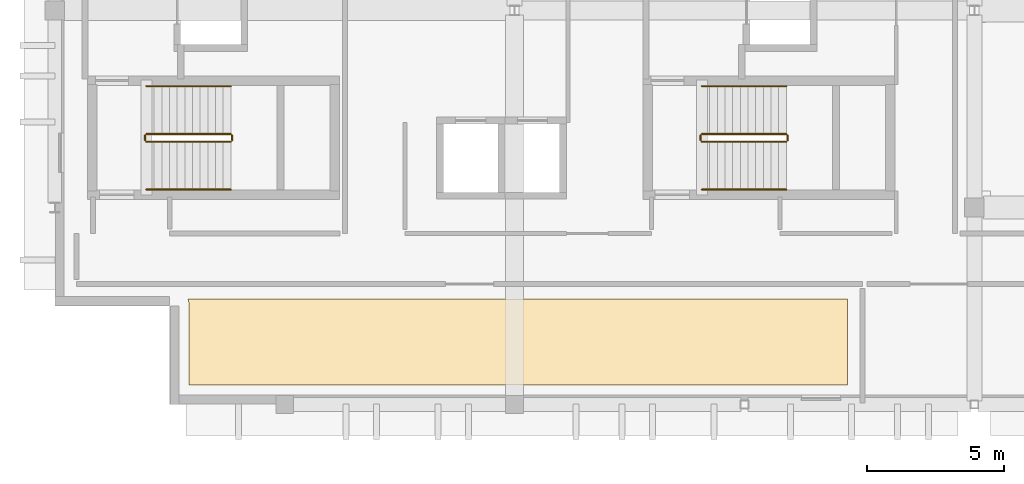
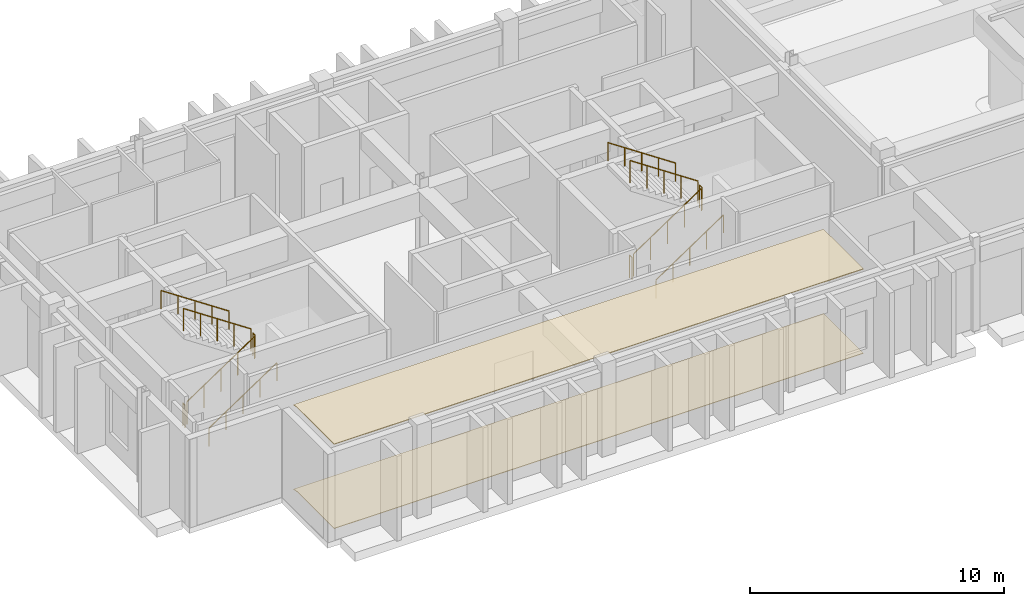
# One storey, part 7 of 8: 12 railings, 2 coverings.
"""IFC4 building model written with IfcOpenShell, lengths in metres."""

from ifc_helpers import new_model, si_unit, direction, frame, origin, origin_2d, place, context, subcontext, project, spatial, polyline, circle, outline, extrude, material, layer, layer_set, type_object, element, save


model = new_model("IFC4")

# Units and contexts
model_context = context("Model", 3, precision=1e-05, world=origin(), true_north=direction((0.0, 1.0)))
body_context = subcontext(model_context, "Body", "Model", "MODEL_VIEW")
ifc_project = project(units=[si_unit("LENGTHUNIT", "METRE"), si_unit("AREAUNIT", "SQUARE_METRE"), si_unit("VOLUMEUNIT", "CUBIC_METRE"), si_unit("PLANEANGLEUNIT", "RADIAN"), si_unit("MASSUNIT", "GRAM", prefix="KILO")], contexts=[model_context])

# Site, building, storey
site_placement = place(None, origin())
site = spatial("IfcSite", under=ifc_project, at=site_placement, CompositionType="ELEMENT")
building_placement = place(site_placement, origin())
building = spatial("IfcBuilding", under=site, at=building_placement, Name="Quendrovan Civic Courthouse", CompositionType="ELEMENT")
storey_placement = place(building_placement, frame((0.0, 0.0, 35.699951171875)))
storey = spatial("IfcBuildingStorey", under=building, at=storey_placement, Name="L08", CompositionType="ELEMENT", Elevation=35.699951171875)

# Coverings
ifc_material_1 = material(Name="Perforated Western Red Cedar and mineral acoustic ceiling")
ifc_layer_1 = layer(ifc_material_1, 0.034912109375, Name="Perforated Western Red Cedar and mineral acoustic ceiling")
ifc_layer_set_1 = layer_set([ifc_layer_1], Name="Perforated Western Red Cedar and mineral acoustic ceiling")
covering_type_1 = type_object("IfcCoveringType", Name="COV-CEIL-ACOUSTIC", PredefinedType="CEILING", material=ifc_layer_set_1)
covering_1_placement = place(storey_placement, frame((0.0, 0.0, 4.045166015625)))
element("IfcCovering", 1, at=covering_1_placement, inside=storey, type_object=covering_type_1, Name="L08 Special Proceedings Courtroom Acoustic Ceiling", PredefinedType="CEILING", context=body_context, shape_type="SweptSolid", body=[
    extrude(outline(polyline([(38.503173828125, 91.29638671875), (38.5009765625, 91.31201171875), (38.490478515625, 91.364501953125), (38.48681640625, 91.3798828125), (38.470947265625, 91.431884765625), (38.465576171875, 91.446533203125), (38.464111328125, 91.449951171875), (62.56005859375, 91.449951171875), (62.56005859375, 88.31005859375), (38.510009765625, 88.31005859375), (38.510009765625, 91.199951171875), (38.50927734375, 91.22802734375), (38.508544921875, 91.24365234375), (38.503173828125, 91.29638671875)])), origin(), (0.0, 0.0, 1.0), 0.034912109375),
])
ifc_material_2 = material(Name="Solid oak courtroom parquet flooring")
ifc_layer_2 = layer(ifc_material_2, 0.02490234375, Name="Solid oak courtroom parquet flooring")
ifc_layer_set_2 = layer_set([ifc_layer_2], Name="Solid oak courtroom parquet flooring")
covering_type_2 = type_object("IfcCoveringType", Name="COV-FLOR-TIMBER", PredefinedType="FLOORING", material=ifc_layer_set_2)
covering_2_placement = place(storey_placement, origin())
element("IfcCovering", 2, at=covering_2_placement, inside=storey, type_object=covering_type_2, Name="L08 Special Proceedings Courtroom Finish Flooring", PredefinedType="FLOORING", context=body_context, shape_type="SweptSolid", body=[
    extrude(outline(polyline([(38.503173828125, 91.29638671875), (38.5009765625, 91.31201171875), (38.490478515625, 91.364501953125), (38.48681640625, 91.3798828125), (38.470947265625, 91.431884765625), (38.465576171875, 91.446533203125), (38.464111328125, 91.449951171875), (62.56005859375, 91.449951171875), (62.56005859375, 88.31005859375), (38.510009765625, 88.31005859375), (38.510009765625, 91.199951171875), (38.50927734375, 91.22802734375), (38.508544921875, 91.24365234375), (38.503173828125, 91.29638671875)])), origin(), (0.0, 0.0, 1.0), 0.025146484375),
])

# Railings
ifc_material_3 = material(Name="Painted galvanized steel", Category="steel")
railing_type_1 = type_object("IfcRailingType", Name="RL-STR-GUARD1100", PredefinedType="GUARDRAIL", material=ifc_material_3)
railing_1_placement = place(storey_placement, frame((36.949951171875, 97.199951171875, 0.1875)))
element("IfcRailing", 3, at=railing_1_placement, inside=storey, type_object=railing_type_1, Name="L08 ST1 stair guard 1", PredefinedType="GUARDRAIL", context=body_context, shape_type="SweptSolid", body=[
    extrude(circle(Radius=0.02392578125, at=origin_2d()), frame((0.0, 0.0, 1.076171875), z_axis=(0.830913701846, 0.0, 0.55640131208), x_axis=(0.0, 1.0, 0.0)), (0.0, 0.0, 1.0), 3.706787109375),
    extrude(circle(Radius=0.02099609375, at=origin_2d()), origin(), (0.0, 0.0, 1.0), 1.052001953125),
    extrude(circle(Radius=0.02099609375, at=origin_2d()), frame((0.77001953125, 0.0, 0.515625)), (0.0, 0.0, 1.0), 1.052001953125),
    extrude(circle(Radius=0.02099609375, at=origin_2d()), frame((1.5400390625, 0.0, 1.03125)), (0.0, 0.0, 1.0), 1.052001953125),
    extrude(circle(Radius=0.02099609375, at=origin_2d()), frame((2.31005859375, 0.0, 1.546875)), (0.0, 0.0, 1.0), 1.052001953125),
    extrude(circle(Radius=0.02099609375, at=origin_2d()), frame((3.080078125, 0.0, 2.0625)), (0.0, 0.0, 1.0), 1.052001953125),
])
railing_2_placement = place(storey_placement, frame((40.080078125, 97.25, 2.25)))
element("IfcRailing", 4, at=railing_2_placement, inside=storey, type_object=railing_type_1, Name="L08 ST1 stair guard 2", PredefinedType="GUARDRAIL", context=body_context, shape_type="SweptSolid", body=[
    extrude(circle(Radius=0.02392578125, at=origin_2d()), frame((0.0, 0.0, 1.076171875), z_axis=(0.0, 1.0, 0.0), x_axis=(-1.0, 0.0, 0.0)), (0.0, 0.0, 1.0), 0.179931640625),
    extrude(circle(Radius=0.02099609375, at=origin_2d()), origin(), (0.0, 0.0, 1.0), 1.052001953125),
    extrude(circle(Radius=0.02099609375, at=origin_2d()), frame((0.0, 0.179931640625, 0.0)), (0.0, 0.0, 1.0), 1.052001953125),
])
railing_3_placement = place(storey_placement, frame((40.030029296875, 97.47998046875, 2.4375)))
element("IfcRailing", 5, at=railing_3_placement, inside=storey, type_object=railing_type_1, Name="L08 ST1 stair guard 3", PredefinedType="GUARDRAIL", context=body_context, shape_type="SweptSolid", body=[
    extrude(circle(Radius=0.02392578125, at=origin_2d()), frame((0.0, 0.0, 1.076171875), z_axis=(-0.830913701846, 0.0, 0.55640131208), x_axis=(0.0, -1.0, 0.0)), (0.0, 0.0, 1.0), 3.706787109375),
    extrude(circle(Radius=0.02099609375, at=origin_2d()), origin(), (0.0, 0.0, 1.0), 1.052001953125),
    extrude(circle(Radius=0.02099609375, at=origin_2d()), frame((-0.77001953125, 0.0, 0.515625)), (0.0, 0.0, 1.0), 1.052001953125),
    extrude(circle(Radius=0.02099609375, at=origin_2d()), frame((-1.5400390625, 0.0, 1.03125)), (0.0, 0.0, 1.0), 1.052001953125),
    extrude(circle(Radius=0.02099609375, at=origin_2d()), frame((-2.31005859375, 0.0, 1.546875)), (0.0, 0.0, 1.0), 1.052001953125),
    extrude(circle(Radius=0.02099609375, at=origin_2d()), frame((-3.080078125, 0.0, 2.0625)), (0.0, 0.0, 1.0), 1.052001953125),
])
railing_4_placement = place(storey_placement, frame((36.89990234375, 97.25, 0.0)))
element("IfcRailing", 6, at=railing_4_placement, inside=storey, type_object=railing_type_1, Name="L08 ST1 stair guard 4", PredefinedType="GUARDRAIL", context=body_context, shape_type="SweptSolid", body=[
    extrude(circle(Radius=0.02392578125, at=origin_2d()), frame((0.0, 0.0, 1.076171875), z_axis=(0.0, 1.0, 0.0), x_axis=(-1.0, 0.0, 0.0)), (0.0, 0.0, 1.0), 0.179931640625),
    extrude(circle(Radius=0.02099609375, at=origin_2d()), origin(), (0.0, 0.0, 1.0), 1.052001953125),
    extrude(circle(Radius=0.02099609375, at=origin_2d()), frame((0.0, 0.179931640625, 0.0)), (0.0, 0.0, 1.0), 1.052001953125),
])
railing_5_placement = place(storey_placement, frame((57.25, 97.199951171875, 0.1875)))
element("IfcRailing", 7, at=railing_5_placement, inside=storey, type_object=railing_type_1, Name="L08 ST2 stair guard 1", PredefinedType="GUARDRAIL", context=body_context, shape_type="SweptSolid", body=[
    extrude(circle(Radius=0.02392578125, at=origin_2d()), frame((0.0, 0.0, 1.076171875), z_axis=(0.830913701846, 0.0, 0.55640131208), x_axis=(0.0, 1.0, 0.0)), (0.0, 0.0, 1.0), 3.706787109375),
    extrude(circle(Radius=0.02099609375, at=origin_2d()), origin(), (0.0, 0.0, 1.0), 1.052001953125),
    extrude(circle(Radius=0.02099609375, at=origin_2d()), frame((0.77001953125, 0.0, 0.515625)), (0.0, 0.0, 1.0), 1.052001953125),
    extrude(circle(Radius=0.02099609375, at=origin_2d()), frame((1.5400390625, 0.0, 1.03125)), (0.0, 0.0, 1.0), 1.052001953125),
    extrude(circle(Radius=0.02099609375, at=origin_2d()), frame((2.31005859375, 0.0, 1.546875)), (0.0, 0.0, 1.0), 1.052001953125),
    extrude(circle(Radius=0.02099609375, at=origin_2d()), frame((3.080078125, 0.0, 2.0625)), (0.0, 0.0, 1.0), 1.052001953125),
])
railing_6_placement = place(storey_placement, frame((60.3798828125, 97.25, 2.25)))
element("IfcRailing", 8, at=railing_6_placement, inside=storey, type_object=railing_type_1, Name="L08 ST2 stair guard 2", PredefinedType="GUARDRAIL", context=body_context, shape_type="SweptSolid", body=[
    extrude(circle(Radius=0.02392578125, at=origin_2d()), frame((0.0, 0.0, 1.076171875), z_axis=(0.0, 1.0, 0.0), x_axis=(-1.0, 0.0, 0.0)), (0.0, 0.0, 1.0), 0.179931640625),
    extrude(circle(Radius=0.02099609375, at=origin_2d()), origin(), (0.0, 0.0, 1.0), 1.052001953125),
    extrude(circle(Radius=0.02099609375, at=origin_2d()), frame((0.0, 0.179931640625, 0.0)), (0.0, 0.0, 1.0), 1.052001953125),
])
railing_7_placement = place(storey_placement, frame((60.330078125, 97.47998046875, 2.4375)))
element("IfcRailing", 9, at=railing_7_placement, inside=storey, type_object=railing_type_1, Name="L08 ST2 stair guard 3", PredefinedType="GUARDRAIL", context=body_context, shape_type="SweptSolid", body=[
    extrude(circle(Radius=0.02392578125, at=origin_2d()), frame((0.0, 0.0, 1.076171875), z_axis=(-0.830913701846, 0.0, 0.55640131208), x_axis=(0.0, -1.0, 0.0)), (0.0, 0.0, 1.0), 3.706787109375),
    extrude(circle(Radius=0.02099609375, at=origin_2d()), origin(), (0.0, 0.0, 1.0), 1.052001953125),
    extrude(circle(Radius=0.02099609375, at=origin_2d()), frame((-0.77001953125, 0.0, 0.515625)), (0.0, 0.0, 1.0), 1.052001953125),
    extrude(circle(Radius=0.02099609375, at=origin_2d()), frame((-1.5400390625, 0.0, 1.03125)), (0.0, 0.0, 1.0), 1.052001953125),
    extrude(circle(Radius=0.02099609375, at=origin_2d()), frame((-2.31005859375, 0.0, 1.546875)), (0.0, 0.0, 1.0), 1.052001953125),
    extrude(circle(Radius=0.02099609375, at=origin_2d()), frame((-3.080078125, 0.0, 2.0625)), (0.0, 0.0, 1.0), 1.052001953125),
])
railing_8_placement = place(storey_placement, frame((57.199951171875, 97.25, 0.0)))
element("IfcRailing", 10, at=railing_8_placement, inside=storey, type_object=railing_type_1, Name="L08 ST2 stair guard 4", PredefinedType="GUARDRAIL", context=body_context, shape_type="SweptSolid", body=[
    extrude(circle(Radius=0.02392578125, at=origin_2d()), frame((0.0, 0.0, 1.076171875), z_axis=(0.0, 1.0, 0.0), x_axis=(-1.0, 0.0, 0.0)), (0.0, 0.0, 1.0), 0.179931640625),
    extrude(circle(Radius=0.02099609375, at=origin_2d()), origin(), (0.0, 0.0, 1.0), 1.052001953125),
    extrude(circle(Radius=0.02099609375, at=origin_2d()), frame((0.0, 0.179931640625, 0.0)), (0.0, 0.0, 1.0), 1.052001953125),
])
ifc_material_4 = material(Name="Bronze anodised aluminium", Category="aluminium")
railing_type_2 = type_object("IfcRailingType", Name="RL-STR-HAND900", PredefinedType="HANDRAIL", material=ifc_material_4)
railing_9_placement = place(storey_placement, frame((36.949951171875, 95.449951171875, 0.1875)))
element("IfcRailing", 11, at=railing_9_placement, inside=storey, type_object=railing_type_2, Name="L08 ST1 stair handrail 1", PredefinedType="HANDRAIL", context=body_context, shape_type="SweptSolid", body=[
    extrude(circle(Radius=0.02392578125, at=origin_2d()), frame((0.0, 0.0, 0.8759765625), z_axis=(0.830913701846, 0.0, 0.55640131208), x_axis=(0.0, 1.0, 0.0)), (0.0, 0.0, 1.0), 3.706787109375),
    extrude(circle(Radius=0.02099609375, at=origin_2d()), origin(), (0.0, 0.0, 1.0), 0.851806640625),
    extrude(circle(Radius=0.02099609375, at=origin_2d()), frame((0.77001953125, 0.0, 0.515625)), (0.0, 0.0, 1.0), 0.851806640625),
    extrude(circle(Radius=0.02099609375, at=origin_2d()), frame((1.5400390625, 0.0, 1.03125)), (0.0, 0.0, 1.0), 0.851806640625),
    extrude(circle(Radius=0.02099609375, at=origin_2d()), frame((2.31005859375, 0.0, 1.546875)), (0.0, 0.0, 1.0), 0.851806640625),
    extrude(circle(Radius=0.02099609375, at=origin_2d()), frame((3.080078125, 0.0, 2.0625)), (0.0, 0.0, 1.0), 0.851806640625),
])
railing_10_placement = place(storey_placement, frame((40.030029296875, 99.22998046875, 2.4375)))
element("IfcRailing", 12, at=railing_10_placement, inside=storey, type_object=railing_type_2, Name="L08 ST1 stair handrail 2", PredefinedType="HANDRAIL", context=body_context, shape_type="SweptSolid", body=[
    extrude(circle(Radius=0.02392578125, at=origin_2d()), frame((0.0, 0.0, 0.8759765625), z_axis=(-0.830913701846, 0.0, 0.55640131208), x_axis=(0.0, -1.0, 0.0)), (0.0, 0.0, 1.0), 3.706787109375),
    extrude(circle(Radius=0.02099609375, at=origin_2d()), origin(), (0.0, 0.0, 1.0), 0.851806640625),
    extrude(circle(Radius=0.02099609375, at=origin_2d()), frame((-0.77001953125, 0.0, 0.515625)), (0.0, 0.0, 1.0), 0.851806640625),
    extrude(circle(Radius=0.02099609375, at=origin_2d()), frame((-1.5400390625, 0.0, 1.03125)), (0.0, 0.0, 1.0), 0.851806640625),
    extrude(circle(Radius=0.02099609375, at=origin_2d()), frame((-2.31005859375, 0.0, 1.546875)), (0.0, 0.0, 1.0), 0.851806640625),
    extrude(circle(Radius=0.02099609375, at=origin_2d()), frame((-3.080078125, 0.0, 2.0625)), (0.0, 0.0, 1.0), 0.851806640625),
])
railing_11_placement = place(storey_placement, frame((57.25, 95.449951171875, 0.1875)))
element("IfcRailing", 13, at=railing_11_placement, inside=storey, type_object=railing_type_2, Name="L08 ST2 stair handrail 1", PredefinedType="HANDRAIL", context=body_context, shape_type="SweptSolid", body=[
    extrude(circle(Radius=0.02392578125, at=origin_2d()), frame((0.0, 0.0, 0.8759765625), z_axis=(0.830913701846, 0.0, 0.55640131208), x_axis=(0.0, 1.0, 0.0)), (0.0, 0.0, 1.0), 3.706787109375),
    extrude(circle(Radius=0.02099609375, at=origin_2d()), origin(), (0.0, 0.0, 1.0), 0.851806640625),
    extrude(circle(Radius=0.02099609375, at=origin_2d()), frame((0.77001953125, 0.0, 0.515625)), (0.0, 0.0, 1.0), 0.851806640625),
    extrude(circle(Radius=0.02099609375, at=origin_2d()), frame((1.5400390625, 0.0, 1.03125)), (0.0, 0.0, 1.0), 0.851806640625),
    extrude(circle(Radius=0.02099609375, at=origin_2d()), frame((2.31005859375, 0.0, 1.546875)), (0.0, 0.0, 1.0), 0.851806640625),
    extrude(circle(Radius=0.02099609375, at=origin_2d()), frame((3.080078125, 0.0, 2.0625)), (0.0, 0.0, 1.0), 0.851806640625),
])
railing_12_placement = place(storey_placement, frame((60.330078125, 99.22998046875, 2.4375)))
element("IfcRailing", 14, at=railing_12_placement, inside=storey, type_object=railing_type_2, Name="L08 ST2 stair handrail 2", PredefinedType="HANDRAIL", context=body_context, shape_type="SweptSolid", body=[
    extrude(circle(Radius=0.02392578125, at=origin_2d()), frame((0.0, 0.0, 0.8759765625), z_axis=(-0.830913701846, 0.0, 0.55640131208), x_axis=(0.0, -1.0, 0.0)), (0.0, 0.0, 1.0), 3.706787109375),
    extrude(circle(Radius=0.02099609375, at=origin_2d()), origin(), (0.0, 0.0, 1.0), 0.851806640625),
    extrude(circle(Radius=0.02099609375, at=origin_2d()), frame((-0.77001953125, 0.0, 0.515625)), (0.0, 0.0, 1.0), 0.851806640625),
    extrude(circle(Radius=0.02099609375, at=origin_2d()), frame((-1.5400390625, 0.0, 1.03125)), (0.0, 0.0, 1.0), 0.851806640625),
    extrude(circle(Radius=0.02099609375, at=origin_2d()), frame((-2.31005859375, 0.0, 1.546875)), (0.0, 0.0, 1.0), 0.851806640625),
    extrude(circle(Radius=0.02099609375, at=origin_2d()), frame((-3.080078125, 0.0, 2.0625)), (0.0, 0.0, 1.0), 0.851806640625),
])

save(model, "model.ifc")
